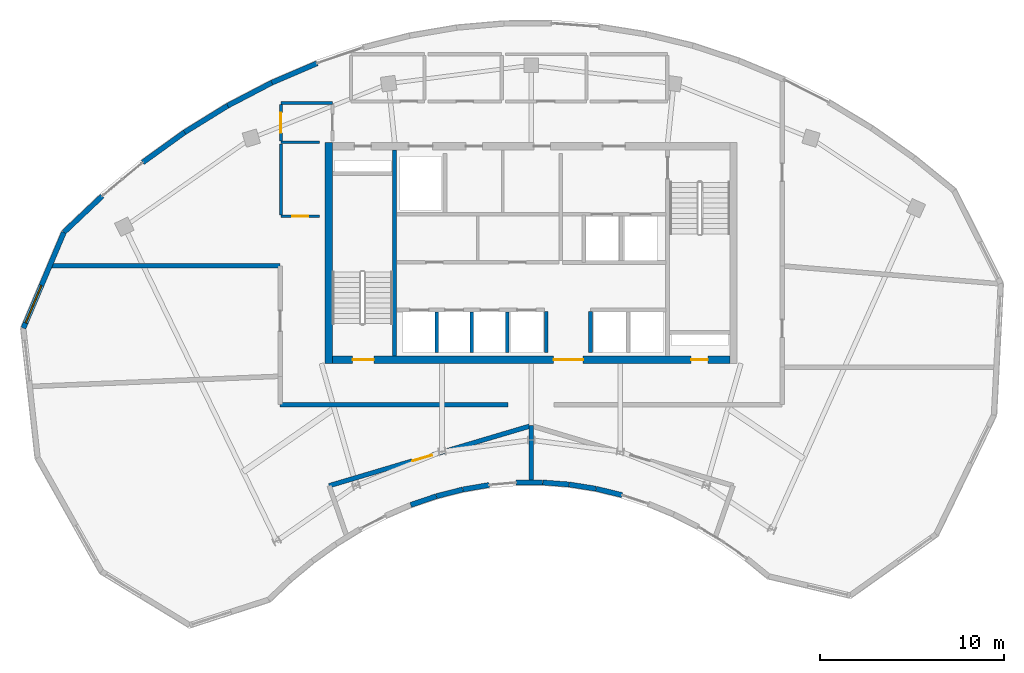
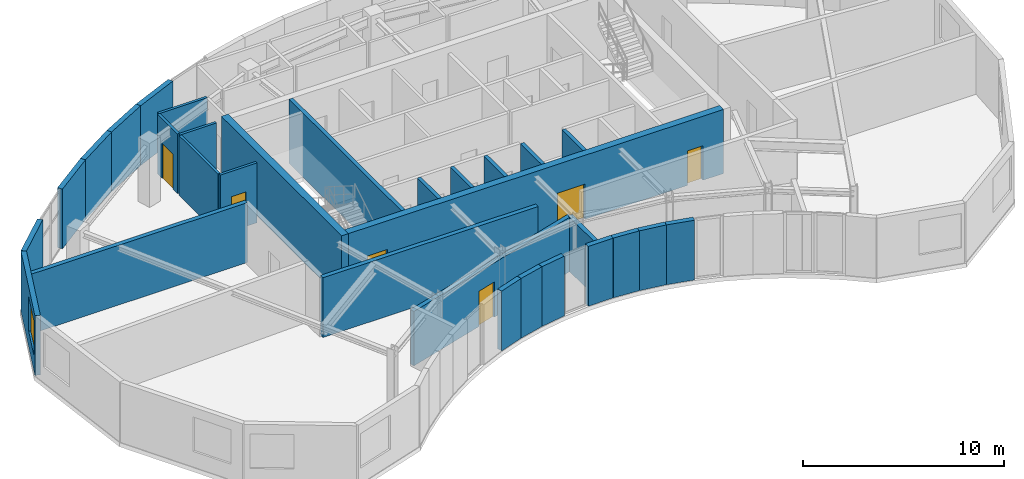
# One storey, part 5 of 9: 30 walls, 6 doors, 1 window, 7 openings.
"""IFC4 building model written with IfcOpenShell, lengths in metres."""

from ifc_helpers import new_model, si_unit, direction, frame, frame_2d, origin, place, context, subcontext, project, spatial, rectangle, extrude, source, transform, mapped, material, layer, layer_set, type_object, type_shapes, element, fill, save


model = new_model("IFC4")

# Units and contexts
model_context = context("Model", 3, precision=1e-05, world=origin(), true_north=direction((0.0, 1.0)))
body_context = subcontext(model_context, "Body", "Model", "MODEL_VIEW")
ifc_project = project(units=[si_unit("LENGTHUNIT", "METRE"), si_unit("AREAUNIT", "SQUARE_METRE"), si_unit("VOLUMEUNIT", "CUBIC_METRE"), si_unit("PLANEANGLEUNIT", "RADIAN"), si_unit("MASSUNIT", "GRAM", prefix="KILO")], contexts=[model_context])

# Site, building, storey
site_placement = place(None, origin())
site = spatial("IfcSite", under=ifc_project, at=site_placement, CompositionType="ELEMENT")
building_placement = place(site_placement, origin())
building = spatial("IfcBuilding", under=site, at=building_placement, Name="Breltana Convention Tower", CompositionType="ELEMENT")
storey_placement = place(building_placement, frame((0.0, 0.0, 295.199951171875)))
storey = spatial("IfcBuildingStorey", under=building, at=storey_placement, Name="L72", CompositionType="ELEMENT", Elevation=295.199951171875)

# Wall
ifc_material_1 = material(Name="Concrete C50/60", Category="concrete")
ifc_layer_1 = layer(ifc_material_1, 0.39990234375, Name="Concrete C50/60")
ifc_layer_set_1 = layer_set([ifc_layer_1], Name="Concrete C50/60")
wall_type_1 = type_object("IfcWallType", Name="SW-CORE-400", PredefinedType="SHEAR", material=ifc_layer_set_1)
shared_shape_1 = source(origin(), body_context, "Body", "SweptSolid", [
    extrude(rectangle(XDim=12.0, YDim=0.39990234375, at=frame_2d((6.0, 0.0))), origin(), (0.0, 0.0, 1.0), 3.900146484375),
])
wall_1_placement = place(storey_placement, frame((37.0, 60.199951171875, 0.0), z_axis=(0.0, 0.0, 1.0), x_axis=(0.0, 1.0, 0.0)))
element("IfcWall", 1, at=wall_1_placement, inside=storey, type_object=wall_type_1, Name="L72 West Core Shear Wall", PredefinedType="SHEAR", context=body_context, shape_type="MappedRepresentation", body=[
    mapped(shared_shape_1, transform((0.0, 0.0, 0.0), scale=1.0)),
])

# Wall, openings, doors
shared_shape_2 = source(origin(), body_context, "Body", "SweptSolid", [
    extrude(rectangle(XDim=21.60009765625, YDim=0.39990234375, at=frame_2d((10.800048828125, 0.0))), origin(), (0.0, 0.0, 1.0), 3.900146484375),
])
wall_2_placement = place(storey_placement, frame((37.199951171875, 60.39990234375, 0.0), z_axis=(0.0, 0.0, 1.0), x_axis=(1.0, 0.0, 0.0)))
wall_2 = element("IfcWall", 2, at=wall_2_placement, inside=storey, type_object=wall_type_1, Name="L72 South Core Shear Wall", PredefinedType="SHEAR", context=body_context, shape_type="MappedRepresentation", body=[
    mapped(shared_shape_2, transform((0.0, 0.0, 0.0), scale=1.0)),
])
opening_1_placement = place(wall_2_placement, frame((1.10009765625, 0.0, 0.0)))
opening_1 = element("IfcOpeningElement", 3, at=opening_1_placement, cuts=wall_2, Name="Opening D-11", PredefinedType="OPENING", context=body_context, shape_type="SweptSolid", body=[
    extrude(rectangle(XDim=1.14990234375, YDim=2.14990234375, at=frame_2d((0.574951171875, 1.074951171875))), frame((0.0, 0.2099609375, 0.0), z_axis=(0.0, -1.0, 0.0), x_axis=(1.0, 0.0, 0.0)), (0.0, 0.0, 1.0), 0.419921875),
])
opening_2_placement = place(wall_2_placement, frame((19.5, 0.0, 0.0)))
opening_2 = element("IfcOpeningElement", 4, at=opening_2_placement, cuts=wall_2, Name="Opening D-18", PredefinedType="OPENING", context=body_context, shape_type="SweptSolid", body=[
    extrude(rectangle(XDim=0.89990234375, YDim=2.10009765625, at=frame_2d((0.449951171875, 1.050048828125))), frame((0.0, 0.2099609375, 0.0), z_axis=(0.0, -1.0, 0.0), x_axis=(1.0, 0.0, 0.0)), (0.0, 0.0, 1.0), 0.419921875),
])
opening_3_placement = place(wall_2_placement, frame((12.02001953125, 0.0, 0.0)))
opening_3 = element("IfcOpeningElement", 5, at=opening_3_placement, cuts=wall_2, Name="Opening D-02", PredefinedType="OPENING", context=body_context, shape_type="SweptSolid", body=[
    extrude(rectangle(XDim=1.60009765625, YDim=2.14990234375, at=frame_2d((0.800048828125, 1.074951171875))), frame((0.0, 0.2099609375, 0.0), z_axis=(0.0, -1.0, 0.0), x_axis=(1.0, 0.0, 0.0)), (0.0, 0.0, 1.0), 0.419921875),
])
ifc_material_2 = material(Name="Steel Stair Exit Door", Category="steel")
door_type_1 = type_object("IfcDoorType", Name="DR-FD120-1150", OperationType="NOTDEFINED", PredefinedType="DOOR", material=ifc_material_2)
shared_shape_3 = source(origin(), body_context, "Body", "SweptSolid", [
    extrude(rectangle(XDim=1.14990234375, YDim=2.14990234375, at=frame_2d((0.574951171875, 1.074951171875))), frame((0.0, 0.02490234375, 0.0), z_axis=(0.0, -1.0, 0.0), x_axis=(1.0, 0.0, 0.0)), (0.0, 0.0, 1.0), 0.050048828125),
])
type_shapes(door_type_1, [shared_shape_3])
door_1_placement = place(opening_1_placement, origin())
door_1 = element("IfcDoor", 6, at=door_1_placement, inside=storey, type_object=door_type_1, Name="L72 interior door D-L72-ST1", OperationType="SINGLE_SWING_LEFT", OverallHeight=2.14990234375, OverallWidth=1.14990234375, PredefinedType="DOOR", context=body_context, shape_type="MappedRepresentation", body=[
    mapped(shared_shape_3, transform((0.0, 0.0, 0.0), scale=1.0)),
])
fill(opening_1, door_1)
ifc_material_3 = material(Name="Steel Riser Fire Door", Category="steel")
door_type_2 = type_object("IfcDoorType", Name="DR-FD60-900", OperationType="NOTDEFINED", PredefinedType="DOOR", material=ifc_material_3)
shared_shape_4 = source(origin(), body_context, "Body", "SweptSolid", [
    extrude(rectangle(XDim=0.89990234375, YDim=2.10009765625, at=frame_2d((0.449951171875, 1.050048828125))), frame((0.0, 0.02490234375, 0.0), z_axis=(0.0, -1.0, 0.0), x_axis=(1.0, 0.0, 0.0)), (0.0, 0.0, 1.0), 0.050048828125),
])
type_shapes(door_type_2, [shared_shape_4])
door_2_placement = place(opening_2_placement, origin())
door_2 = element("IfcDoor", 7, at=door_2_placement, inside=storey, type_object=door_type_2, Name="L72 Core Riser Access Door D-L72-RS2", OperationType="SINGLE_SWING_RIGHT", OverallHeight=2.10009765625, OverallWidth=0.89990234375, PredefinedType="DOOR", context=body_context, shape_type="MappedRepresentation", body=[
    mapped(shared_shape_4, transform((0.0, 0.0, 0.0), scale=1.0)),
])
fill(opening_2, door_2)
ifc_material_4 = material(Name="Steel Glazed Smoke-Control Door", Category="steel")
door_type_3 = type_object("IfcDoorType", Name="DR-DBL-FD90-1600", OperationType="DOUBLE_DOOR_SINGLE_SWING", PredefinedType="DOOR", material=ifc_material_4)
shared_shape_5 = source(origin(), body_context, "Body", "SweptSolid", [
    extrude(rectangle(XDim=1.60009765625, YDim=2.14990234375, at=frame_2d((0.800048828125, 1.074951171875))), frame((0.0, 0.02490234375, 0.0), z_axis=(0.0, -1.0, 0.0), x_axis=(1.0, 0.0, 0.0)), (0.0, 0.0, 1.0), 0.050048828125),
])
type_shapes(door_type_3, [shared_shape_5])
door_3_placement = place(opening_3_placement, origin())
door_3 = element("IfcDoor", 8, at=door_3_placement, inside=storey, type_object=door_type_3, Name="L72 interior door D-L72-LLB-S", OperationType="DOUBLE_DOOR_SINGLE_SWING", OverallHeight=2.14990234375, OverallWidth=1.60009765625, PredefinedType="DOOR", context=body_context, shape_type="MappedRepresentation", body=[
    mapped(shared_shape_5, transform((0.0, 0.0, 0.0), scale=1.0)),
])
fill(opening_3, door_3)

# Walls
shared_shape_6 = source(origin(), body_context, "Body", "SweptSolid", [
    extrude(rectangle(XDim=11.199951171875, YDim=0.219970703125, at=frame_2d((5.60009765625, 0.0))), origin(), (0.0, 0.0, 1.0), 3.900146484375),
])
wall_3_placement = place(storey_placement, frame((40.580078125, 60.60009765625, 0.0), z_axis=(0.0, 0.0, 1.0), x_axis=(0.0, 1.0, 0.0)))
element("IfcWall", 9, at=wall_3_placement, inside=storey, type_object=wall_type_1, Name="L72 Core West Stair Spine Wall", PredefinedType="SHEAR", context=body_context, shape_type="MappedRepresentation", body=[
    mapped(shared_shape_6, transform((0.0, 0.0, 0.0), scale=1.0)),
])
ifc_material_5 = material(Name="Limestone Buff Insulated Wall", Category="masonry")
ifc_layer_2 = layer(ifc_material_5, 0.280029296875, Name="Limestone Buff Insulated Wall")
ifc_layer_set_2 = layer_set([ifc_layer_2], Name="Limestone Buff Insulated Wall")
wall_type_2 = type_object("IfcWallType", Name="WL-EXT-NOSE-280", PredefinedType="SOLIDWALL", material=ifc_layer_set_2)
shared_shape_7 = source(origin(), body_context, "Body", "SweptSolid", [
    extrude(rectangle(XDim=1.446044921875, YDim=0.280029296875, at=frame_2d((0.72314453125, 0.0))), origin(), (0.0, 0.0, 1.0), 3.64013671875),
])
wall_4_placement = place(storey_placement, frame((51.509033203125, 53.38818359375, 0.0), z_axis=(0.0, 0.0, 1.0), x_axis=(-0.987650460941, 0.156673440642, 0.0)))
element("IfcWall", 10, at=wall_4_placement, inside=storey, type_object=wall_type_2, Name="L72 curved limestone nose wall E10", PredefinedType="SOLIDWALL", context=body_context, shape_type="MappedRepresentation", body=[
    mapped(shared_shape_7, transform((0.0, 0.0, 0.0), scale=1.0)),
])
shared_shape_8 = source(origin(), body_context, "Body", "SweptSolid", [
    extrude(rectangle(XDim=1.440185546875, YDim=0.280029296875, at=frame_2d((0.72021484375, 0.0))), origin(), (0.0, 0.0, 1.0), 3.64013671875),
])
wall_5_placement = place(storey_placement, frame((50.066162109375, 53.616455078125, 0.0), z_axis=(0.0, 0.0, 1.0), x_axis=(-0.997124860794, 0.075776064736, 0.0)))
element("IfcWall", 11, at=wall_5_placement, inside=storey, type_object=wall_type_2, Name="L72 curved limestone nose wall E11", PredefinedType="SOLIDWALL", context=body_context, shape_type="MappedRepresentation", body=[
    mapped(shared_shape_8, transform((0.0, 0.0, 0.0), scale=1.0)),
])
shared_shape_9 = source(origin(), body_context, "Body", "SweptSolid", [
    extrude(rectangle(XDim=1.4384765625, YDim=0.280029296875, at=frame_2d((0.71923828125, 0.0))), origin(), (0.0, 0.0, 1.0), 3.64013671875),
])
wall_6_placement = place(storey_placement, frame((48.615478515625, 53.726318359375, 0.0), z_axis=(0.0, 0.0, 1.0), x_axis=(-0.999982357135, -0.005940153174, 0.0)))
element("IfcWall", 12, at=wall_6_placement, inside=storey, type_object=wall_type_2, Name="L72 curved limestone nose wall E12", PredefinedType="SOLIDWALL", context=body_context, shape_type="MappedRepresentation", body=[
    mapped(shared_shape_9, transform((0.0, 0.0, 0.0), scale=1.0)),
])
shared_shape_10 = source(origin(), body_context, "Body", "SweptSolid", [
    extrude(rectangle(XDim=1.4580078125, YDim=0.280029296875, at=frame_2d((0.72900390625, 0.0))), origin(), (0.0, 0.0, 1.0), 3.64013671875),
])
wall_7_placement = place(storey_placement, frame((44.271484375, 53.343017578125, 0.0), z_axis=(0.0, 0.0, 1.0), x_axis=(-0.969109544438, -0.246630677083, 0.0)))
element("IfcWall", 13, at=wall_7_placement, inside=storey, type_object=wall_type_2, Name="L72 curved limestone nose wall E14", PredefinedType="SOLIDWALL", context=body_context, shape_type="MappedRepresentation", body=[
    mapped(shared_shape_10, transform((0.0, 0.0, 0.0), scale=1.0)),
])
shared_shape_11 = source(origin(), body_context, "Body", "SweptSolid", [
    extrude(rectangle(XDim=1.47265625, YDim=0.280029296875, at=frame_2d((0.736328125, 0.0))), origin(), (0.0, 0.0, 1.0), 3.64013671875),
])
wall_8_placement = place(storey_placement, frame((42.8447265625, 52.9794921875, 0.0), z_axis=(0.0, 0.0, 1.0), x_axis=(-0.946641296917, -0.322289086026, 0.0)))
element("IfcWall", 14, at=wall_8_placement, inside=storey, type_object=wall_type_2, Name="L72 curved limestone nose wall E15", PredefinedType="SOLIDWALL", context=body_context, shape_type="MappedRepresentation", body=[
    mapped(shared_shape_11, transform((0.0, 0.0, 0.0), scale=1.0)),
])

# Wall, opening, window
shared_shape_12 = source(origin(), body_context, "Body", "SweptSolid", [
    extrude(rectangle(XDim=5.655029296875, YDim=0.280029296875, at=frame_2d((2.82763671875, 0.0))), origin(), (0.0, 0.0, 1.0), 3.64013671875),
])
wall_9_placement = place(storey_placement, frame((20.40087890625, 62.11572265625, 0.0), z_axis=(0.0, 0.0, 1.0), x_axis=(0.389585063528, 0.920990487614, 0.0)))
wall_9 = element("IfcWall", 15, at=wall_9_placement, inside=storey, type_object=wall_type_2, Name="L72 curved limestone nose wall W6", PredefinedType="SOLIDWALL", context=body_context, shape_type="MappedRepresentation", body=[
    mapped(shared_shape_12, transform((0.0, 0.0, 0.0), scale=1.0)),
])
opening_4_placement = place(wall_9_placement, frame((0.313720703125, 0.0, 0.949951171875)))
opening_4 = element("IfcOpeningElement", 16, at=opening_4_placement, cuts=wall_9, Name="Opening W-03", PredefinedType="OPENING", context=body_context, shape_type="SweptSolid", body=[
    extrude(rectangle(XDim=2.199951171875, YDim=2.10009765625, at=frame_2d((1.10009765625, 1.050048828125))), frame((0.0, 0.14990234375, 0.0), z_axis=(0.0, -1.0, 0.0), x_axis=(1.0, 0.0, 0.0)), (0.0, 0.0, 1.0), 0.300048828125),
])
ifc_material_6 = material(Name="Glass Low-E Insulated Window", Category="glass")
window_type = type_object("IfcWindowType", Name="WN-NOSE-2200X2100", PartitioningType="TRIPLE_PANEL_VERTICAL", PredefinedType="WINDOW", material=ifc_material_6)
shared_shape_13 = source(origin(), body_context, "Body", "SweptSolid", [
    extrude(rectangle(XDim=2.199951171875, YDim=2.10009765625, at=frame_2d((1.10009765625, 1.050048828125))), frame((0.0, 0.030029296875, 0.0), z_axis=(0.0, -1.0, 0.0), x_axis=(1.0, 0.0, 0.0)), (0.0, 0.0, 1.0), 0.06005859375),
])
type_shapes(window_type, [shared_shape_13])
window_placement = place(opening_4_placement, origin())
window = element("IfcWindow", 17, at=window_placement, inside=storey, type_object=window_type, Name="L72 nose window W6", OverallHeight=2.10009765625, OverallWidth=2.199951171875, PartitioningType="TRIPLE_PANEL_VERTICAL", PredefinedType="WINDOW", context=body_context, shape_type="MappedRepresentation", body=[
    mapped(shared_shape_13, transform((0.0, 0.0, 0.0), scale=1.0)),
])
fill(opening_4, window)

# Walls
shared_shape_14 = source(origin(), body_context, "Body", "SweptSolid", [
    extrude(rectangle(XDim=2.87255859375, YDim=0.280029296875, at=frame_2d((1.436279296875, 0.0))), origin(), (0.0, 0.0, 1.0), 3.64013671875),
])
wall_10_placement = place(storey_placement, frame((22.60400390625, 67.323974609375, 0.0), z_axis=(0.0, 0.0, 1.0), x_axis=(0.72609560544, 0.687593754888, 0.0)))
element("IfcWall", 18, at=wall_10_placement, inside=storey, type_object=wall_type_2, Name="L72 curved limestone nose wall W7", PredefinedType="SOLIDWALL", context=body_context, shape_type="MappedRepresentation", body=[
    mapped(shared_shape_14, transform((0.0, 0.0, 0.0), scale=1.0)),
])
shared_shape_15 = source(origin(), body_context, "Body", "SweptSolid", [
    extrude(rectangle(XDim=2.8017578125, YDim=0.280029296875, at=frame_2d((1.40087890625, 0.0))), origin(), (0.0, 0.0, 1.0), 3.64013671875),
])
wall_11_placement = place(storey_placement, frame((26.88525390625, 71.11962890625, 0.0), z_axis=(0.0, 0.0, 1.0), x_axis=(0.811507896482, 0.584341453217, 0.0)))
element("IfcWall", 19, at=wall_11_placement, inside=storey, type_object=wall_type_2, Name="L72 curved limestone nose wall E20", PredefinedType="SOLIDWALL", context=body_context, shape_type="MappedRepresentation", body=[
    mapped(shared_shape_15, transform((0.0, 0.0, 0.0), scale=1.0)),
])
shared_shape_16 = source(origin(), body_context, "Body", "SweptSolid", [
    extrude(rectangle(XDim=2.754638671875, YDim=0.280029296875, at=frame_2d((1.37744140625, 0.0))), origin(), (0.0, 0.0, 1.0), 3.64013671875),
])
wall_12_placement = place(storey_placement, frame((29.158935546875, 72.7568359375, 0.0), z_axis=(0.0, 0.0, 1.0), x_axis=(0.850750210743, 0.525570241661, 0.0)))
element("IfcWall", 20, at=wall_12_placement, inside=storey, type_object=wall_type_2, Name="L72 curved limestone nose wall E21", PredefinedType="SOLIDWALL", context=body_context, shape_type="MappedRepresentation", body=[
    mapped(shared_shape_16, transform((0.0, 0.0, 0.0), scale=1.0)),
])
shared_shape_17 = source(origin(), body_context, "Body", "SweptSolid", [
    extrude(rectangle(XDim=2.71142578125, YDim=0.280029296875, at=frame_2d((1.355712890625, 0.0))), origin(), (0.0, 0.0, 1.0), 3.64013671875),
])
wall_13_placement = place(storey_placement, frame((31.50244140625, 74.20458984375, 0.0), z_axis=(0.0, 0.0, 1.0), x_axis=(0.886828760751, 0.462098202881, 0.0)))
element("IfcWall", 21, at=wall_13_placement, inside=storey, type_object=wall_type_2, Name="L72 curved limestone nose wall E22", PredefinedType="SOLIDWALL", context=body_context, shape_type="MappedRepresentation", body=[
    mapped(shared_shape_17, transform((0.0, 0.0, 0.0), scale=1.0)),
])
shared_shape_18 = source(origin(), body_context, "Body", "SweptSolid", [
    extrude(rectangle(XDim=1.45654296875, YDim=0.280029296875, at=frame_2d((0.728271484375, 0.0))), origin(), (0.0, 0.0, 1.0), 3.64013671875),
])
wall_14_placement = place(storey_placement, frame((52.938720703125, 53.042236328125, 0.0), z_axis=(0.0, 0.0, 1.0), x_axis=(-0.97187219902, 0.23550887196, 0.0)))
element("IfcWall", 22, at=wall_14_placement, inside=storey, type_object=wall_type_2, Name="L72 curved limestone nose wall E9", PredefinedType="SOLIDWALL", context=body_context, shape_type="MappedRepresentation", body=[
    mapped(shared_shape_18, transform((0.0, 0.0, 0.0), scale=1.0)),
])
shared_shape_19 = source(origin(), body_context, "Body", "SweptSolid", [
    extrude(rectangle(XDim=1.447265625, YDim=0.280029296875, at=frame_2d((0.7236328125, 0.0))), origin(), (0.0, 0.0, 1.0), 3.64013671875),
])
wall_15_placement = place(storey_placement, frame((45.712646484375, 53.589111328125, 0.0), z_axis=(0.0, 0.0, 1.0), x_axis=(-0.985785525921, -0.168008621461, 0.0)))
element("IfcWall", 23, at=wall_15_placement, inside=storey, type_object=wall_type_2, Name="L72 curved limestone nose wall E13", PredefinedType="SOLIDWALL", context=body_context, shape_type="MappedRepresentation", body=[
    mapped(shared_shape_19, transform((0.0, 0.0, 0.0), scale=1.0)),
])
shared_shape_20 = source(origin(), body_context, "Body", "SweptSolid", [
    extrude(rectangle(XDim=2.67333984375, YDim=0.280029296875, at=frame_2d((1.336669921875, 0.0))), origin(), (0.0, 0.0, 1.0), 3.64013671875),
])
wall_16_placement = place(storey_placement, frame((33.906982421875, 75.45751953125, 0.0), z_axis=(0.0, 0.0, 1.0), x_axis=(0.919036345912, 0.394172798266, 0.0)))
element("IfcWall", 24, at=wall_16_placement, inside=storey, type_object=wall_type_2, Name="L72 curved limestone nose wall E23", PredefinedType="SOLIDWALL", context=body_context, shape_type="MappedRepresentation", body=[
    mapped(shared_shape_20, transform((0.0, 0.0, 0.0), scale=1.0)),
])
ifc_material_7 = material(Name="Autoclaved Aerated Concrete Block", Category="concrete")
ifc_layer_3 = layer(ifc_material_7, 0.199951171875, Name="Autoclaved Aerated Concrete Block")
ifc_layer_set_3 = layer_set([ifc_layer_3], Name="Autoclaved Aerated Concrete Block")
wall_type_3 = type_object("IfcWallType", Name="WL-SHAFT-200", PredefinedType="SOLIDWALL", material=ifc_layer_set_3)
shared_shape_21 = source(origin(), body_context, "Body", "SweptSolid", [
    extrude(rectangle(XDim=2.239990234375, YDim=0.199951171875, at=frame_2d((1.1201171875, 0.0))), origin(), (0.0, 0.0, 1.0), 3.64013671875),
])
for number, where, z_axis, x_axis, name in (
    (25, (48.820068359375, 60.780029296875, 0.0), (0.0, 0.0, 1.0), (0.0, 1.0, 0.0), "L72 interior partition W-L72-PORT-W"),
    (26, (51.219970703125, 60.780029296875, 0.0), (0.0, 0.0, 1.0), (0.0, 1.0, 0.0), "L72 interior partition W-L72-PORT-E"),
):
    element("IfcWall", number, at=place(storey_placement, frame(where, z_axis=z_axis, x_axis=x_axis)), inside=storey, type_object=wall_type_3, Name=name, PredefinedType="SOLIDWALL", context=body_context, shape_type="MappedRepresentation", body=[
        mapped(shared_shape_21, transform((0.0, 0.0, 0.0), scale=1.0)),
    ])
shared_shape_22 = source(origin(), body_context, "Body", "SweptSolid", [
    extrude(rectangle(XDim=2.199951171875, YDim=0.199951171875, at=frame_2d((1.10009765625, 0.0))), origin(), (0.0, 0.0, 1.0), 3.64013671875),
])
for number, where, z_axis, x_axis, name in (
    (27, (42.8701171875, 60.800048828125, 0.0), (0.0, 0.0, 1.0), (0.0, 1.0, 0.0), "L72 interior partition W-L72-SH-S-DIV1"),
    (28, (44.77001953125, 60.800048828125, 0.0), (0.0, 0.0, 1.0), (0.0, 1.0, 0.0), "L72 interior partition W-L72-SH-S-DIV2"),
    (29, (46.699951171875, 60.800048828125, 0.0), (0.0, 0.0, 1.0), (0.0, 1.0, 0.0), "L72 interior partition W-L72-SH-S-DIV3"),
):
    element("IfcWall", number, at=place(storey_placement, frame(where, z_axis=z_axis, x_axis=x_axis)), inside=storey, type_object=wall_type_3, Name=name, PredefinedType="SOLIDWALL", context=body_context, shape_type="MappedRepresentation", body=[
        mapped(shared_shape_22, transform((0.0, 0.0, 0.0), scale=1.0)),
    ])
ifc_material_8 = material(Name="Gypsum Acoustic Drywall Partition")
ifc_layer_4 = layer(ifc_material_8, 0.14990234375, Name="Gypsum Acoustic Drywall Partition")
ifc_layer_set_4 = layer_set([ifc_layer_4], Name="Gypsum Acoustic Drywall Partition")
wall_type_4 = type_object("IfcWallType", Name="WL-PART-150", PredefinedType="PARTITIONING", material=ifc_layer_set_4)
shared_shape_23 = source(origin(), body_context, "Body", "SweptSolid", [
    extrude(rectangle(XDim=2.10009765625, YDim=0.14990234375, at=frame_2d((1.050048828125, 0.0))), origin(), (0.0, 0.0, 1.0), 3.64013671875),
])
wall_17_placement = place(storey_placement, frame((34.39990234375, 72.219970703125, 0.0), z_axis=(0.0, 0.0, 1.0), x_axis=(1.0, 0.0, 0.0)))
element("IfcWall", 30, at=wall_17_placement, inside=storey, type_object=wall_type_4, Name="L72 interior partition W-L72-CRNW-S", PredefinedType="PARTITIONING", context=body_context, shape_type="MappedRepresentation", body=[
    mapped(shared_shape_23, transform((0.0, 0.0, 0.0), scale=1.0)),
])

# Wall, opening, door
wall_18_placement = place(storey_placement, frame((34.39990234375, 68.199951171875, 0.0), z_axis=(0.0, 0.0, 1.0), x_axis=(1.0, 0.0, 0.0)))
wall_18 = element("IfcWall", 31, at=wall_18_placement, inside=storey, type_object=wall_type_4, Name="L72 interior partition W-L72-CRSW-S", PredefinedType="PARTITIONING", context=body_context, shape_type="MappedRepresentation", body=[
    mapped(shared_shape_23, transform((0.0, 0.0, 0.0), scale=1.0)),
])
opening_5_placement = place(wall_18_placement, frame((0.625, 0.0, 0.0)))
opening_5 = element("IfcOpeningElement", 32, at=opening_5_placement, cuts=wall_18, Name="Opening D-20", PredefinedType="OPENING", context=body_context, shape_type="SweptSolid", body=[
    extrude(rectangle(XDim=0.85009765625, YDim=2.10009765625, at=frame_2d((0.425048828125, 1.050048828125))), frame((0.0, 0.0849609375, 0.0), z_axis=(0.0, -1.0, 0.0), x_axis=(1.0, 0.0, 0.0)), (0.0, 0.0, 1.0), 0.169921875),
])
ifc_material_9 = material(Name="Steel Closet Fire Door", Category="steel")
door_type_4 = type_object("IfcDoorType", Name="DR-FD60-850", OperationType="NOTDEFINED", PredefinedType="DOOR", material=ifc_material_9)
shared_shape_24 = source(origin(), body_context, "Body", "SweptSolid", [
    extrude(rectangle(XDim=0.85009765625, YDim=2.10009765625, at=frame_2d((0.425048828125, 1.050048828125))), frame((0.0, 0.02490234375, 0.0), z_axis=(0.0, -1.0, 0.0), x_axis=(1.0, 0.0, 0.0)), (0.0, 0.0, 1.0), 0.050048828125),
])
type_shapes(door_type_4, [shared_shape_24])
door_4_placement = place(opening_5_placement, origin())
door_4 = element("IfcDoor", 33, at=door_4_placement, inside=storey, type_object=door_type_4, Name="L72 interior door D-L72-CRSW", OperationType="SINGLE_SWING_LEFT", OverallHeight=2.10009765625, OverallWidth=0.85009765625, PredefinedType="DOOR", context=body_context, shape_type="MappedRepresentation", body=[
    mapped(shared_shape_24, transform((0.0, 0.0, 0.0), scale=1.0)),
])
fill(opening_5, door_4)

shared_shape_25 = source(origin(), body_context, "Body", "SweptSolid", [
    extrude(rectangle(XDim=1.994873046875, YDim=0.14990234375, at=frame_2d((0.99755859375, 0.0))), origin(), (0.0, 0.0, 1.0), 3.64013671875),
])
wall_19_placement = place(storey_placement, frame((34.39990234375, 72.28759765625, 0.0), z_axis=(0.0, 0.0, 1.0), x_axis=(0.0, 1.0, 0.0)))
wall_19 = element("IfcWall", 34, at=wall_19_placement, inside=storey, type_object=wall_type_4, Name="L72 interior partition W-L72-CRNW-W", PredefinedType="PARTITIONING", context=body_context, shape_type="MappedRepresentation", body=[
    mapped(shared_shape_25, transform((0.0, 0.0, 0.0), scale=1.0)),
])
opening_6_placement = place(wall_19_placement, frame((0.447509765625, 0.0, 0.0)))
opening_6 = element("IfcOpeningElement", 35, at=opening_6_placement, cuts=wall_19, Name="Opening D-12", PredefinedType="OPENING", context=body_context, shape_type="SweptSolid", body=[
    extrude(rectangle(XDim=1.10009765625, YDim=2.14990234375, at=frame_2d((0.550048828125, 1.074951171875))), frame((0.0, 0.0849609375, 0.0), z_axis=(0.0, -1.0, 0.0), x_axis=(1.0, 0.0, 0.0)), (0.0, 0.0, 1.0), 0.169921875),
])
ifc_material_10 = material(Name="Timber Oak Acoustic Door", Category="wood")
door_type_5 = type_object("IfcDoorType", Name="DR-INT-1100", OperationType="NOTDEFINED", PredefinedType="DOOR", material=ifc_material_10)
shared_shape_26 = source(origin(), body_context, "Body", "SweptSolid", [
    extrude(rectangle(XDim=1.10009765625, YDim=2.14990234375, at=frame_2d((0.550048828125, 1.074951171875))), frame((0.0, 0.02490234375, 0.0), z_axis=(0.0, -1.0, 0.0), x_axis=(1.0, 0.0, 0.0)), (0.0, 0.0, 1.0), 0.050048828125),
])
type_shapes(door_type_5, [shared_shape_26])
door_5_placement = place(opening_6_placement, origin())
door_5 = element("IfcDoor", 36, at=door_5_placement, inside=storey, type_object=door_type_5, Name="L72 interior door D-L72-EXW3", OperationType="SINGLE_SWING_RIGHT", OverallHeight=2.14990234375, OverallWidth=1.10009765625, PredefinedType="DOOR", context=body_context, shape_type="MappedRepresentation", body=[
    mapped(shared_shape_26, transform((0.0, 0.0, 0.0), scale=1.0)),
])
fill(opening_6, door_5)

ifc_material_11 = material(Name="Gypsum Acoustic Double Stud Wall")
ifc_layer_5 = layer(ifc_material_11, 0.25, Name="Gypsum Acoustic Double Stud Wall")
ifc_layer_set_5 = layer_set([ifc_layer_5], Name="Gypsum Acoustic Double Stud Wall")
wall_type_5 = type_object("IfcWallType", Name="WL-ACOUSTIC-250", PredefinedType="PARTITIONING", material=ifc_layer_set_5)
shared_shape_27 = source(origin(), body_context, "Body", "SweptSolid", [
    extrude(rectangle(XDim=11.453857421875, YDim=0.25, at=frame_2d((5.72705078125, 0.0))), origin(), (0.0, 0.0, 1.0), 3.31396484375),
])
wall_20_placement = place(storey_placement, frame((37.0205078125, 53.551513671875, 0.0), z_axis=(0.0, 0.0, 1.0), x_axis=(0.958594874645, 0.284773359541, 0.0)))
wall_20 = element("IfcWall", 37, at=wall_20_placement, inside=storey, type_object=wall_type_5, Name="L72 interior partition W-L72-ES1-COR", PredefinedType="PARTITIONING", context=body_context, shape_type="MappedRepresentation", body=[
    mapped(shared_shape_27, transform((0.0, 0.0, 0.0), scale=1.0)),
])
opening_7_placement = place(wall_20_placement, frame((4.726806640625, 0.0, 0.0)))
opening_7 = element("IfcOpeningElement", 38, at=opening_7_placement, cuts=wall_20, Name="Opening D-12", PredefinedType="OPENING", context=body_context, shape_type="SweptSolid", body=[
    extrude(rectangle(XDim=1.10009765625, YDim=2.14990234375, at=frame_2d((0.550048828125, 1.074951171875))), frame((0.0, 0.135009765625, 0.0), z_axis=(0.0, -1.0, 0.0), x_axis=(1.0, 0.0, 0.0)), (0.0, 0.0, 1.0), 0.27001953125),
])
door_6_placement = place(opening_7_placement, origin())
door_6 = element("IfcDoor", 39, at=door_6_placement, inside=storey, type_object=door_type_5, Name="L72 interior door D-L72-ES1", OperationType="SINGLE_SWING_RIGHT", OverallHeight=2.14990234375, OverallWidth=1.10009765625, PredefinedType="DOOR", context=body_context, shape_type="MappedRepresentation", body=[
    mapped(shared_shape_26, transform((0.0, 0.0, 0.0), scale=1.0)),
])
fill(opening_7, door_6)

# Walls
shared_shape_28 = source(origin(), body_context, "Body", "SweptSolid", [
    extrude(rectangle(XDim=3.08056640625, YDim=0.25, at=frame_2d((1.540283203125, 0.0))), origin(), (0.0, 0.0, 1.0), 3.31396484375),
])
wall_21_placement = place(storey_placement, frame((48.0, 53.732666015625, 0.0), z_axis=(0.0, 0.0, 1.0), x_axis=(0.0, 1.0, 0.0)))
element("IfcWall", 40, at=wall_21_placement, inside=storey, type_object=wall_type_5, Name="L72 interior partition W-L72-ES1-RB", PredefinedType="PARTITIONING", context=body_context, shape_type="MappedRepresentation", body=[
    mapped(shared_shape_28, transform((0.0, 0.0, 0.0), scale=1.0)),
])
shared_shape_29 = source(origin(), body_context, "Body", "SweptSolid", [
    extrude(rectangle(XDim=2.800048828125, YDim=0.14990234375, at=frame_2d((1.39990234375, 0.0))), origin(), (0.0, 0.0, 1.0), 3.64013671875),
])
wall_22_placement = place(storey_placement, frame((34.39990234375, 74.35009765625, 0.0), z_axis=(0.0, 0.0, 1.0), x_axis=(1.0, 0.0, 0.0)))
element("IfcWall", 41, at=wall_22_placement, inside=storey, type_object=wall_type_4, Name="L72 interior partition W-L72-CRNW-N", PredefinedType="PARTITIONING", context=body_context, shape_type="MappedRepresentation", body=[
    mapped(shared_shape_29, transform((0.0, 0.0, 0.0), scale=1.0)),
])
shared_shape_30 = source(origin(), body_context, "Body", "SweptSolid", [
    extrude(rectangle(XDim=3.844970703125, YDim=0.14990234375, at=frame_2d((1.92236328125, 0.0))), origin(), (0.0, 0.0, 1.0), 3.64013671875),
])
wall_23_placement = place(storey_placement, frame((34.39990234375, 68.267578125, 0.0), z_axis=(0.0, 0.0, 1.0), x_axis=(0.0, 1.0, 0.0)))
element("IfcWall", 42, at=wall_23_placement, inside=storey, type_object=wall_type_4, Name="L72 interior partition W-L72-CRSW-W", PredefinedType="PARTITIONING", context=body_context, shape_type="MappedRepresentation", body=[
    mapped(shared_shape_30, transform((0.0, 0.0, 0.0), scale=1.0)),
])
shared_shape_31 = source(origin(), body_context, "Body", "SweptSolid", [
    extrude(rectangle(XDim=12.389892578125, YDim=0.25, at=frame_2d((6.19482421875, 0.0))), origin(), (0.0, 0.0, 1.0), 3.64013671875),
])
wall_24_placement = place(storey_placement, frame((34.360107421875, 57.9599609375, 0.0), z_axis=(0.0, 0.0, 1.0), x_axis=(1.0, 0.0, 0.0)))
element("IfcWall", 43, at=wall_24_placement, inside=storey, type_object=wall_type_5, Name="L72 interior partition W-L72-Z45-CSW", PredefinedType="PARTITIONING", context=body_context, shape_type="MappedRepresentation", body=[
    mapped(shared_shape_31, transform((0.0, 0.0, 0.0), scale=1.0)),
])
shared_shape_32 = source(origin(), body_context, "Body", "SweptSolid", [
    extrude(rectangle(XDim=12.5166015625, YDim=0.25, at=frame_2d((6.25830078125, 0.0))), origin(), (0.0, 0.0, 1.0), 3.64013671875),
])
wall_25_placement = place(storey_placement, frame((21.843505859375, 65.5, 0.0), z_axis=(0.0, 0.0, 1.0), x_axis=(1.0, 0.0, 0.0)))
element("IfcWall", 44, at=wall_25_placement, inside=storey, type_object=wall_type_5, Name="L72 interior partition W-L72-EXW2-N", PredefinedType="PARTITIONING", context=body_context, shape_type="MappedRepresentation", body=[
    mapped(shared_shape_32, transform((0.0, 0.0, 0.0), scale=1.0)),
])

save(model, "model.ifc")
